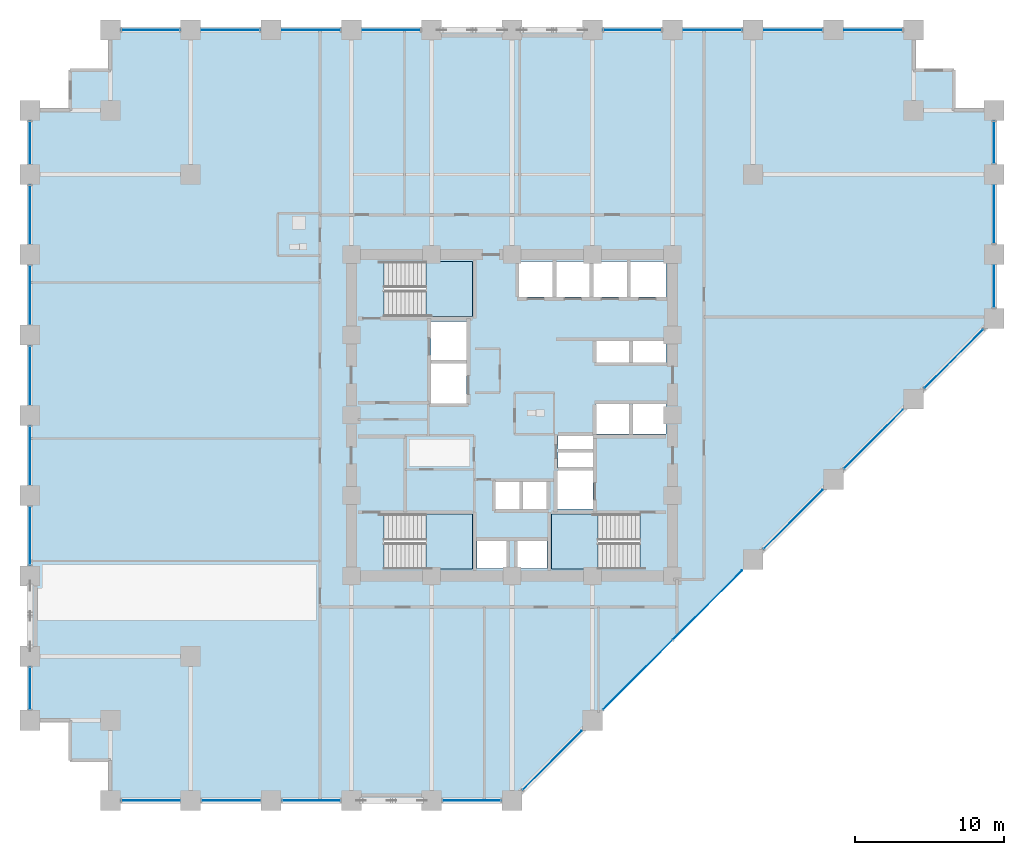
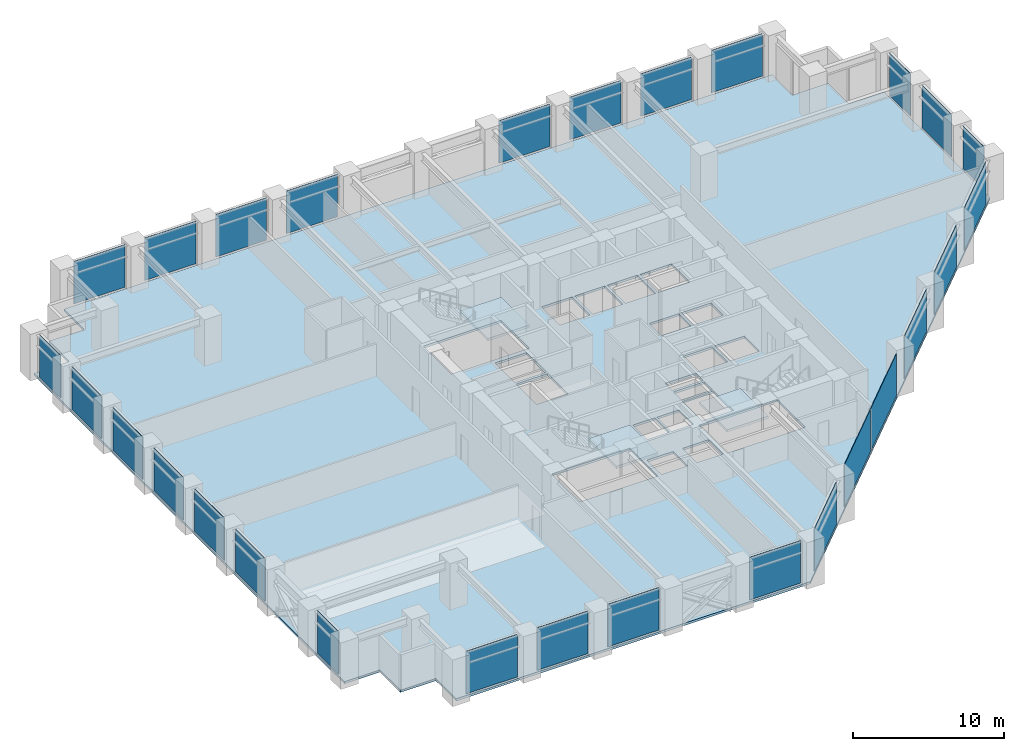
# One storey, part 18 of 25: 28 plates, 4 slabs, 11 elements without a shape of their own.
"""IFC4 building model written with IfcOpenShell, lengths in metres."""

from ifc_helpers import new_model, si_unit, direction, frame, frame_2d, origin, place, context, subcontext, project, spatial, polyline, rectangle, outline, extrude, material, layer, layer_set, type_object, element, aggregate, save


model = new_model("IFC4")

# Units and contexts
model_context = context("Model", 3, precision=1e-05, world=origin(), true_north=direction((0.0, 1.0)))
body_context = subcontext(model_context, "Body", "Model", "MODEL_VIEW")
ifc_project = project(units=[si_unit("LENGTHUNIT", "METRE"), si_unit("AREAUNIT", "SQUARE_METRE"), si_unit("VOLUMEUNIT", "CUBIC_METRE"), si_unit("PLANEANGLEUNIT", "RADIAN"), si_unit("MASSUNIT", "GRAM", prefix="KILO")], contexts=[model_context])

# Site, building, storey
site_placement = place(None, origin())
site = spatial("IfcSite", under=ifc_project, at=site_placement, CompositionType="ELEMENT")
building_placement = place(site_placement, origin())
building = spatial("IfcBuilding", under=site, at=building_placement, Name="Surkhivell Harbour Commons", CompositionType="ELEMENT")
storey_placement = place(building_placement, frame((0.0, 0.0, 45.0)))
storey = spatial("IfcBuildingStorey", under=building, at=storey_placement, Name="L11", CompositionType="ELEMENT", Elevation=45.0)

# Curtain wall, plates
ifc_material_1 = material(Name="Anodised pale-metal aluminium and insulated glazing", Category="aluminium")
ifc_layer_1 = layer(ifc_material_1, 0.219970703125)
ifc_layer_set_1 = layer_set([ifc_layer_1], Name="Anodised pale-metal aluminium and insulated glazing")
curtain_wall_type = type_object("IfcCurtainWallType", Name="CW-SYS-Z1", PredefinedType="NOTDEFINED", material=ifc_layer_set_1)
curtain_wall_1_placement = place(storey_placement, origin())
curtain_wall_1 = element("IfcCurtainWall", 1, at=curtain_wall_1_placement, inside=storey, type_object=curtain_wall_type, Name="L11 Curtain Wall CW-L11-E00S1", PredefinedType="NOTDEFINED")
ifc_material_2 = material(Name="Double-silver low-E laminated vision glass", Category="glass")
ifc_layer_2 = layer(ifc_material_2, 0.031982421875)
ifc_layer_set_2 = layer_set([ifc_layer_2], Name="Double-silver low-E laminated vision glass")
plate_type = type_object("IfcPlateType", Name="CWP-GLZ-32", PredefinedType="CURTAIN_PANEL", material=ifc_layer_set_2)
plate_1_placement = place(storey_placement, frame((-26.248046875, -25.89990234375, 0.14990234375), z_axis=(0.0, 0.0, 1.0), x_axis=(1.0, 0.0, 0.0)))
plate_1 = element("IfcPlate", 2, at=plate_1_placement, type_object=plate_type, Name="CW-Z1 panel 1.1", PredefinedType="CURTAIN_PANEL", context=body_context, shape_type="SweptSolid", body=[
    extrude(rectangle(XDim=3.89599609375, YDim=0.031982421875, at=frame_2d((1.947998046875, 0.0))), origin(), (0.0, 0.0, 1.0), 3.420166015625),
])
plate_2_placement = place(storey_placement, frame((-20.847900390625, -25.89990234375, 0.14990234375), z_axis=(0.0, 0.0, 1.0), x_axis=(1.0, 0.0, 0.0)))
plate_2 = element("IfcPlate", 3, at=plate_2_placement, type_object=plate_type, Name="CW-Z1 panel 2.1", PredefinedType="CURTAIN_PANEL", context=body_context, shape_type="SweptSolid", body=[
    extrude(rectangle(XDim=3.89599609375, YDim=0.031982421875, at=frame_2d((1.947998046875, 0.0))), origin(), (0.0, 0.0, 1.0), 3.420166015625),
])
plate_3_placement = place(storey_placement, frame((-15.447998046875, -25.89990234375, 0.14990234375), z_axis=(0.0, 0.0, 1.0), x_axis=(1.0, 0.0, 0.0)))
plate_3 = element("IfcPlate", 4, at=plate_3_placement, type_object=plate_type, Name="CW-Z1 panel 3.1", PredefinedType="CURTAIN_PANEL", context=body_context, shape_type="SweptSolid", body=[
    extrude(rectangle(XDim=3.89599609375, YDim=0.031982421875, at=frame_2d((1.947998046875, 0.0))), origin(), (0.0, 0.0, 1.0), 3.420166015625),
])
aggregate(curtain_wall_1, [plate_1, plate_2, plate_3])

# Curtain wall, plate
curtain_wall_2_placement = place(storey_placement, origin())
curtain_wall_2 = element("IfcCurtainWall", 5, at=curtain_wall_2_placement, inside=storey, type_object=curtain_wall_type, Name="L11 Curtain Wall CW-L11-E00S2", PredefinedType="NOTDEFINED")
plate_4_placement = place(storey_placement, frame((-4.64794921875, -25.89990234375, 0.14990234375), z_axis=(0.0, 0.0, 1.0), x_axis=(1.0, 0.0, 0.0)))
plate_4 = element("IfcPlate", 6, at=plate_4_placement, type_object=plate_type, Name="CW-Z1 panel 1.1", PredefinedType="CURTAIN_PANEL", context=body_context, shape_type="SweptSolid", body=[
    extrude(rectangle(XDim=3.89599609375, YDim=0.031982421875, at=frame_2d((1.947998046875, 0.0))), origin(), (0.0, 0.0, 1.0), 3.420166015625),
])
aggregate(curtain_wall_2, [plate_4])

# Curtain wall, plates
curtain_wall_3_placement = place(storey_placement, origin())
curtain_wall_3 = element("IfcCurtainWall", 7, at=curtain_wall_3_placement, inside=storey, type_object=curtain_wall_type, Name="L11 Curtain Wall CW-L11-E01", PredefinedType="NOTDEFINED")
plate_5_placement = place(storey_placement, frame((0.729736328125, -25.170166015625, 0.14990234375), z_axis=(0.0, 0.0, 1.0), x_axis=(0.707106781187, 0.707106781187, 0.0)))
plate_5 = element("IfcPlate", 8, at=plate_5_placement, type_object=plate_type, Name="CW-Z1 panel 1.1", PredefinedType="CURTAIN_PANEL", context=body_context, shape_type="SweptSolid", body=[
    extrude(rectangle(XDim=5.572509765625, YDim=0.031982421875, at=frame_2d((2.7861328125, 0.0))), origin(), (0.0, 0.0, 1.0), 3.420166015625),
])
plate_6_placement = place(storey_placement, frame((6.1298828125, -19.770263671875, 0.14990234375), z_axis=(0.0, 0.0, 1.0), x_axis=(0.707088192925, 0.70712536896, 0.0)))
plate_6 = element("IfcPlate", 9, at=plate_6_placement, type_object=plate_type, Name="CW-Z1 panel 2.1", PredefinedType="CURTAIN_PANEL", context=body_context, shape_type="SweptSolid", body=[
    extrude(rectangle(XDim=6.567138671875, YDim=0.031982421875, at=frame_2d((3.28369140625, 0.0))), origin(), (0.0, 0.0, 1.0), 3.420166015625),
])
plate_7_placement = place(storey_placement, frame((10.826416015625, -15.073486328125, 0.14990234375), z_axis=(0.0, 0.0, 1.0), x_axis=(0.70712536896, 0.707088192925, 0.0)))
plate_7 = element("IfcPlate", 10, at=plate_7_placement, type_object=plate_type, Name="CW-Z1 panel 3.1", PredefinedType="CURTAIN_PANEL", context=body_context, shape_type="SweptSolid", body=[
    extrude(rectangle(XDim=6.567138671875, YDim=0.031982421875, at=frame_2d((3.28369140625, 0.0))), origin(), (0.0, 0.0, 1.0), 3.420166015625),
])
plate_8_placement = place(storey_placement, frame((16.929931640625, -8.97021484375, 0.14990234375), z_axis=(0.0, 0.0, 1.0), x_axis=(0.707084874754, 0.70712868694, 0.0)))
plate_8 = element("IfcPlate", 11, at=plate_8_placement, type_object=plate_type, Name="CW-Z1 panel 4.1", PredefinedType="CURTAIN_PANEL", context=body_context, shape_type="SweptSolid", body=[
    extrude(rectangle(XDim=5.572509765625, YDim=0.031982421875, at=frame_2d((2.7861328125, 0.0))), origin(), (0.0, 0.0, 1.0), 3.420166015625),
])
plate_9_placement = place(storey_placement, frame((22.329833984375, -3.570068359375, 0.14990234375), z_axis=(0.0, 0.0, 1.0), x_axis=(0.70712868694, 0.707084874754, 0.0)))
plate_9 = element("IfcPlate", 12, at=plate_9_placement, type_object=plate_type, Name="CW-Z1 panel 5.1", PredefinedType="CURTAIN_PANEL", context=body_context, shape_type="SweptSolid", body=[
    extrude(rectangle(XDim=5.572509765625, YDim=0.031982421875, at=frame_2d((2.7861328125, 0.0))), origin(), (0.0, 0.0, 1.0), 3.420166015625),
])
plate_10_placement = place(storey_placement, frame((27.729736328125, 1.829833984375, 0.14990234375), z_axis=(0.0, 0.0, 1.0), x_axis=(0.707106781187, 0.707106781187, 0.0)))
plate_10 = element("IfcPlate", 13, at=plate_10_placement, type_object=plate_type, Name="CW-Z1 panel 6.1", PredefinedType="CURTAIN_PANEL", context=body_context, shape_type="SweptSolid", body=[
    extrude(rectangle(XDim=5.572509765625, YDim=0.031982421875, at=frame_2d((2.7861328125, 0.0))), origin(), (0.0, 0.0, 1.0), 3.420166015625),
])
aggregate(curtain_wall_3, [plate_5, plate_6, plate_7, plate_8, plate_9, plate_10])

curtain_wall_4_placement = place(storey_placement, origin())
curtain_wall_4 = element("IfcCurtainWall", 14, at=curtain_wall_4_placement, inside=storey, type_object=curtain_wall_type, Name="L11 Curtain Wall CW-L11-E02", PredefinedType="NOTDEFINED")
plate_11_placement = place(storey_placement, frame((32.39990234375, 7.251953125, 0.14990234375), z_axis=(0.0, 0.0, 1.0), x_axis=(0.0, 1.0, 0.0)))
plate_11 = element("IfcPlate", 15, at=plate_11_placement, type_object=plate_type, Name="CW-Z1 panel 1.1", PredefinedType="CURTAIN_PANEL", context=body_context, shape_type="SweptSolid", body=[
    extrude(rectangle(XDim=2.796142578125, YDim=0.031982421875, at=frame_2d((1.39794921875, 0.0))), origin(), (0.0, 0.0, 1.0), 3.420166015625),
])
plate_12_placement = place(storey_placement, frame((32.39990234375, 11.552001953125, 0.14990234375), z_axis=(0.0, 0.0, 1.0), x_axis=(0.0, 1.0, 0.0)))
plate_12 = element("IfcPlate", 16, at=plate_12_placement, type_object=plate_type, Name="CW-Z1 panel 2.1", PredefinedType="CURTAIN_PANEL", context=body_context, shape_type="SweptSolid", body=[
    extrude(rectangle(XDim=3.89599609375, YDim=0.031982421875, at=frame_2d((1.947998046875, 0.0))), origin(), (0.0, 0.0, 1.0), 3.420166015625),
])
plate_13_placement = place(storey_placement, frame((32.39990234375, 16.951904296875, 0.14990234375), z_axis=(0.0, 0.0, 1.0), x_axis=(0.0, 1.0, 0.0)))
plate_13 = element("IfcPlate", 17, at=plate_13_placement, type_object=plate_type, Name="CW-Z1 panel 3.1", PredefinedType="CURTAIN_PANEL", context=body_context, shape_type="SweptSolid", body=[
    extrude(rectangle(XDim=2.796142578125, YDim=0.031982421875, at=frame_2d((1.39794921875, 0.0))), origin(), (0.0, 0.0, 1.0), 3.420166015625),
])
aggregate(curtain_wall_4, [plate_11, plate_12, plate_13])

curtain_wall_5_placement = place(storey_placement, origin())
curtain_wall_5 = element("IfcCurtainWall", 18, at=curtain_wall_5_placement, inside=storey, type_object=curtain_wall_type, Name="L11 Curtain Wall CW-L11-E07S1", PredefinedType="NOTDEFINED")
plate_14_placement = place(storey_placement, frame((26.248046875, 25.89990234375, 0.14990234375), z_axis=(0.0, 0.0, 1.0), x_axis=(-1.0, 0.0, 0.0)))
plate_14 = element("IfcPlate", 19, at=plate_14_placement, type_object=plate_type, Name="CW-Z1 panel 1.1", PredefinedType="CURTAIN_PANEL", context=body_context, shape_type="SweptSolid", body=[
    extrude(rectangle(XDim=3.89599609375, YDim=0.031982421875, at=frame_2d((1.947998046875, 0.0))), origin(), (0.0, 0.0, 1.0), 3.420166015625),
])
plate_15_placement = place(storey_placement, frame((20.847900390625, 25.89990234375, 0.14990234375), z_axis=(0.0, 0.0, 1.0), x_axis=(-1.0, 0.0, 0.0)))
plate_15 = element("IfcPlate", 20, at=plate_15_placement, type_object=plate_type, Name="CW-Z1 panel 2.1", PredefinedType="CURTAIN_PANEL", context=body_context, shape_type="SweptSolid", body=[
    extrude(rectangle(XDim=3.89599609375, YDim=0.031982421875, at=frame_2d((1.947998046875, 0.0))), origin(), (0.0, 0.0, 1.0), 3.420166015625),
])
plate_16_placement = place(storey_placement, frame((15.447998046875, 25.89990234375, 0.14990234375), z_axis=(0.0, 0.0, 1.0), x_axis=(-1.0, 0.0, 0.0)))
plate_16 = element("IfcPlate", 21, at=plate_16_placement, type_object=plate_type, Name="CW-Z1 panel 3.1", PredefinedType="CURTAIN_PANEL", context=body_context, shape_type="SweptSolid", body=[
    extrude(rectangle(XDim=3.89599609375, YDim=0.031982421875, at=frame_2d((1.947998046875, 0.0))), origin(), (0.0, 0.0, 1.0), 3.420166015625),
])
plate_17_placement = place(storey_placement, frame((10.048095703125, 25.89990234375, 0.14990234375), z_axis=(0.0, 0.0, 1.0), x_axis=(-1.0, 0.0, 0.0)))
plate_17 = element("IfcPlate", 22, at=plate_17_placement, type_object=plate_type, Name="CW-Z1 panel 4.1", PredefinedType="CURTAIN_PANEL", context=body_context, shape_type="SweptSolid", body=[
    extrude(rectangle(XDim=3.89599609375, YDim=0.031982421875, at=frame_2d((1.947998046875, 0.0))), origin(), (0.0, 0.0, 1.0), 3.420166015625),
])
aggregate(curtain_wall_5, [plate_14, plate_15, plate_16, plate_17])

curtain_wall_6_placement = place(storey_placement, origin())
curtain_wall_6 = element("IfcCurtainWall", 23, at=curtain_wall_6_placement, inside=storey, type_object=curtain_wall_type, Name="L11 Curtain Wall CW-L11-E07S2", PredefinedType="NOTDEFINED")
plate_18_placement = place(storey_placement, frame((-6.152099609375, 25.89990234375, 0.14990234375), z_axis=(0.0, 0.0, 1.0), x_axis=(-1.0, 0.0, 0.0)))
plate_18 = element("IfcPlate", 24, at=plate_18_placement, type_object=plate_type, Name="CW-Z1 panel 1.1", PredefinedType="CURTAIN_PANEL", context=body_context, shape_type="SweptSolid", body=[
    extrude(rectangle(XDim=3.89599609375, YDim=0.031982421875, at=frame_2d((1.947998046875, 0.0))), origin(), (0.0, 0.0, 1.0), 3.420166015625),
])
plate_19_placement = place(storey_placement, frame((-11.552001953125, 25.89990234375, 0.14990234375), z_axis=(0.0, 0.0, 1.0), x_axis=(-1.0, 0.0, 0.0)))
plate_19 = element("IfcPlate", 25, at=plate_19_placement, type_object=plate_type, Name="CW-Z1 panel 2.1", PredefinedType="CURTAIN_PANEL", context=body_context, shape_type="SweptSolid", body=[
    extrude(rectangle(XDim=3.89599609375, YDim=0.031982421875, at=frame_2d((1.947998046875, 0.0))), origin(), (0.0, 0.0, 1.0), 3.420166015625),
])
plate_20_placement = place(storey_placement, frame((-16.951904296875, 25.89990234375, 0.14990234375), z_axis=(0.0, 0.0, 1.0), x_axis=(-1.0, 0.0, 0.0)))
plate_20 = element("IfcPlate", 26, at=plate_20_placement, type_object=plate_type, Name="CW-Z1 panel 3.1", PredefinedType="CURTAIN_PANEL", context=body_context, shape_type="SweptSolid", body=[
    extrude(rectangle(XDim=3.89599609375, YDim=0.031982421875, at=frame_2d((1.947998046875, 0.0))), origin(), (0.0, 0.0, 1.0), 3.420166015625),
])
plate_21_placement = place(storey_placement, frame((-22.35205078125, 25.89990234375, 0.14990234375), z_axis=(0.0, 0.0, 1.0), x_axis=(-1.0, 0.0, 0.0)))
plate_21 = element("IfcPlate", 27, at=plate_21_placement, type_object=plate_type, Name="CW-Z1 panel 4.1", PredefinedType="CURTAIN_PANEL", context=body_context, shape_type="SweptSolid", body=[
    extrude(rectangle(XDim=3.89599609375, YDim=0.031982421875, at=frame_2d((1.947998046875, 0.0))), origin(), (0.0, 0.0, 1.0), 3.420166015625),
])
aggregate(curtain_wall_6, [plate_18, plate_19, plate_20, plate_21])

curtain_wall_7_placement = place(storey_placement, origin())
curtain_wall_7 = element("IfcCurtainWall", 28, at=curtain_wall_7_placement, inside=storey, type_object=curtain_wall_type, Name="L11 Curtain Wall CW-L11-E12S1", PredefinedType="NOTDEFINED")
plate_22_placement = place(storey_placement, frame((-32.39990234375, 19.748046875, 0.14990234375), z_axis=(0.0, 0.0, 1.0), x_axis=(0.0, -1.0, 0.0)))
plate_22 = element("IfcPlate", 29, at=plate_22_placement, type_object=plate_type, Name="CW-Z1 panel 1.1", PredefinedType="CURTAIN_PANEL", context=body_context, shape_type="SweptSolid", body=[
    extrude(rectangle(XDim=2.796142578125, YDim=0.031982421875, at=frame_2d((1.39794921875, 0.0))), origin(), (0.0, 0.0, 1.0), 3.420166015625),
])
plate_23_placement = place(storey_placement, frame((-32.39990234375, 15.447998046875, 0.14990234375), z_axis=(0.0, 0.0, 1.0), x_axis=(0.0, -1.0, 0.0)))
plate_23 = element("IfcPlate", 30, at=plate_23_placement, type_object=plate_type, Name="CW-Z1 panel 2.1", PredefinedType="CURTAIN_PANEL", context=body_context, shape_type="SweptSolid", body=[
    extrude(rectangle(XDim=3.89599609375, YDim=0.031982421875, at=frame_2d((1.947998046875, 0.0))), origin(), (0.0, 0.0, 1.0), 3.420166015625),
])
plate_24_placement = place(storey_placement, frame((-32.39990234375, 10.048095703125, 0.14990234375), z_axis=(0.0, 0.0, 1.0), x_axis=(0.0, -1.0, 0.0)))
plate_24 = element("IfcPlate", 31, at=plate_24_placement, type_object=plate_type, Name="CW-Z1 panel 3.1", PredefinedType="CURTAIN_PANEL", context=body_context, shape_type="SweptSolid", body=[
    extrude(rectangle(XDim=3.89599609375, YDim=0.031982421875, at=frame_2d((1.947998046875, 0.0))), origin(), (0.0, 0.0, 1.0), 3.420166015625),
])
plate_25_placement = place(storey_placement, frame((-32.39990234375, 4.64794921875, 0.14990234375), z_axis=(0.0, 0.0, 1.0), x_axis=(0.0, -1.0, 0.0)))
plate_25 = element("IfcPlate", 32, at=plate_25_placement, type_object=plate_type, Name="CW-Z1 panel 4.1", PredefinedType="CURTAIN_PANEL", context=body_context, shape_type="SweptSolid", body=[
    extrude(rectangle(XDim=3.89599609375, YDim=0.031982421875, at=frame_2d((1.947998046875, 0.0))), origin(), (0.0, 0.0, 1.0), 3.420166015625),
])
plate_26_placement = place(storey_placement, frame((-32.39990234375, -0.751953125, 0.14990234375), z_axis=(0.0, 0.0, 1.0), x_axis=(0.0, -1.0, 0.0)))
plate_26 = element("IfcPlate", 33, at=plate_26_placement, type_object=plate_type, Name="CW-Z1 panel 5.1", PredefinedType="CURTAIN_PANEL", context=body_context, shape_type="SweptSolid", body=[
    extrude(rectangle(XDim=3.89599609375, YDim=0.031982421875, at=frame_2d((1.947998046875, 0.0))), origin(), (0.0, 0.0, 1.0), 3.420166015625),
])
plate_27_placement = place(storey_placement, frame((-32.39990234375, -6.152099609375, 0.14990234375), z_axis=(0.0, 0.0, 1.0), x_axis=(0.0, -1.0, 0.0)))
plate_27 = element("IfcPlate", 34, at=plate_27_placement, type_object=plate_type, Name="CW-Z1 panel 6.1", PredefinedType="CURTAIN_PANEL", context=body_context, shape_type="SweptSolid", body=[
    extrude(rectangle(XDim=3.89599609375, YDim=0.031982421875, at=frame_2d((1.947998046875, 0.0))), origin(), (0.0, 0.0, 1.0), 3.420166015625),
])
aggregate(curtain_wall_7, [plate_22, plate_23, plate_24, plate_25, plate_26, plate_27])

# Curtain wall, plate
curtain_wall_8_placement = place(storey_placement, origin())
curtain_wall_8 = element("IfcCurtainWall", 35, at=curtain_wall_8_placement, inside=storey, type_object=curtain_wall_type, Name="L11 Curtain Wall CW-L11-E12S2", PredefinedType="NOTDEFINED")
plate_28_placement = place(storey_placement, frame((-32.39990234375, -16.951904296875, 0.14990234375), z_axis=(0.0, 0.0, 1.0), x_axis=(0.0, -1.0, 0.0)))
plate_28 = element("IfcPlate", 36, at=plate_28_placement, type_object=plate_type, Name="CW-Z1 panel 1.1", PredefinedType="CURTAIN_PANEL", context=body_context, shape_type="SweptSolid", body=[
    extrude(rectangle(XDim=2.796142578125, YDim=0.031982421875, at=frame_2d((1.39794921875, 0.0))), origin(), (0.0, 0.0, 1.0), 3.420166015625),
])
aggregate(curtain_wall_8, [plate_28])

# Stair, slab
ifc_material_3 = material(Name="Precast concrete C45/55", Category="concrete")
stair_type = type_object("IfcStairType", Name="STR-DL-375", PredefinedType="HALF_TURN_STAIR", material=ifc_material_3)
stair_1_placement = place(storey_placement, origin())
stair_1 = element("IfcStair", 37, at=stair_1_placement, inside=storey, type_object=stair_type, Name="L11 Core Exit Stair ST1", PredefinedType="HALF_TURN_STAIR")
ifc_material_4 = material(Name="Reinforced concrete C45/55", Category="concrete")
ifc_layer_3 = layer(ifc_material_4, 0.199951171875)
ifc_layer_set_3 = layer_set([ifc_layer_3], Name="Reinforced concrete C45/55")
slab_type_1 = type_object("IfcSlabType", Name="SLB-ST-LND200", PredefinedType="LANDING", material=ifc_layer_set_3)
slab_1_placement = place(storey_placement, frame((0.0, 0.0, 1.675048828125)))
slab_1 = element("IfcSlab", 38, at=slab_1_placement, type_object=slab_type_1, Name="ST1 landing 1", PredefinedType="LANDING", context=body_context, shape_type="SweptSolid", body=[
    extrude(outline(polyline([(-5.7900390625, 6.639892578125), (-2.639892578125, 6.639892578125), (-2.639892578125, 10.340087890625), (-5.7900390625, 10.340087890625), (-5.7900390625, 6.639892578125)])), origin(), (0.0, 0.0, 1.0), 0.199951171875),
])
aggregate(stair_1, [slab_1])

stair_2_placement = place(storey_placement, origin())
stair_2 = element("IfcStair", 39, at=stair_2_placement, inside=storey, type_object=stair_type, Name="L11 Core Exit Stair ST2", PredefinedType="HALF_TURN_STAIR")
slab_2_placement = place(storey_placement, frame((0.0, 0.0, 1.675048828125)))
slab_2 = element("IfcSlab", 40, at=slab_2_placement, type_object=slab_type_1, Name="ST2 landing 1", PredefinedType="LANDING", context=body_context, shape_type="SweptSolid", body=[
    extrude(outline(polyline([(5.7900390625, -6.639892578125), (2.639892578125, -6.639892578125), (2.639892578125, -10.340087890625), (5.7900390625, -10.340087890625), (5.7900390625, -6.639892578125)])), origin(), (0.0, 0.0, 1.0), 0.199951171875),
])
aggregate(stair_2, [slab_2])

stair_3_placement = place(storey_placement, origin())
stair_3 = element("IfcStair", 41, at=stair_3_placement, inside=storey, type_object=stair_type, Name="L11 Core Exit Stair ST3", PredefinedType="HALF_TURN_STAIR")
slab_3_placement = place(storey_placement, frame((0.0, 0.0, 1.675048828125)))
slab_3 = element("IfcSlab", 42, at=slab_3_placement, type_object=slab_type_1, Name="ST3 landing 1", PredefinedType="LANDING", context=body_context, shape_type="SweptSolid", body=[
    extrude(outline(polyline([(-5.7900390625, -10.340087890625), (-2.639892578125, -10.340087890625), (-2.639892578125, -6.639892578125), (-5.7900390625, -6.639892578125), (-5.7900390625, -10.340087890625)])), origin(), (0.0, 0.0, 1.0), 0.199951171875),
])
aggregate(stair_3, [slab_3])

# Slab
ifc_material_5 = material(Name="Concrete C45/55", Category="concrete")
ifc_layer_4 = layer(ifc_material_5, 0.179931640625)
ifc_layer_set_4 = layer_set([ifc_layer_4], Name="Concrete C45/55")
slab_type_2 = type_object("IfcSlabType", Name="SLB-TYP-180", PredefinedType="FLOOR", material=ifc_layer_set_4)
slab_4_placement = place(storey_placement, frame((0.0, 0.0, -0.179931640625)))
element("IfcSlab", 43, at=slab_4_placement, inside=storey, type_object=slab_type_2, Name="L11 Structural Floor Slab", PredefinedType="FLOOR", context=body_context, shape_type="SweptSolid", body=[
    extrude(outline(polyline([(-27.0, -25.89990234375), (0.0, -25.89990234375), (32.39990234375, 6.5), (32.39990234375, 20.5), (29.699951171875, 20.5), (29.699951171875, 23.199951171875), (27.0, 23.199951171875), (27.0, 25.89990234375), (-27.0, 25.89990234375), (-27.0, 23.199951171875), (-29.699951171875, 23.199951171875), (-29.699951171875, 20.5), (-32.39990234375, 20.5), (-32.39990234375, -20.5), (-29.699951171875, -20.5), (-29.699951171875, -23.199951171875), (-27.0, -23.199951171875), (-27.0, -25.89990234375)]), holes=[polyline([(-8.590087890625, 6.639892578125), (-2.639892578125, 6.639892578125), (-2.639892578125, 10.340087890625), (-8.590087890625, 10.340087890625), (-8.590087890625, 6.639892578125)]), polyline([(8.590087890625, -6.639892578125), (2.639892578125, -6.639892578125), (2.639892578125, -10.340087890625), (8.590087890625, -10.340087890625), (8.590087890625, -6.639892578125)]), polyline([(-8.590087890625, -10.340087890625), (-2.639892578125, -10.340087890625), (-2.639892578125, -6.639892578125), (-8.590087890625, -6.639892578125), (-8.590087890625, -10.340087890625)]), polyline([(0.449951171875, 7.949951171875), (2.75, 7.949951171875), (2.75, 10.35009765625), (0.449951171875, 10.35009765625), (0.449951171875, 7.949951171875)]), polyline([(2.949951171875, 7.949951171875), (5.25, 7.949951171875), (5.25, 10.35009765625), (2.949951171875, 10.35009765625), (2.949951171875, 7.949951171875)]), polyline([(5.449951171875, 7.949951171875), (7.75, 7.949951171875), (7.75, 10.35009765625), (5.449951171875, 10.35009765625), (5.449951171875, 7.949951171875)]), polyline([(7.949951171875, 7.949951171875), (10.35009765625, 7.949951171875), (10.35009765625, 10.35009765625), (7.949951171875, 10.35009765625), (7.949951171875, 7.949951171875)]), polyline([(5.64990234375, 3.550048828125), (7.89990234375, 3.550048828125), (7.89990234375, 5.14990234375), (5.64990234375, 5.14990234375), (5.64990234375, 3.550048828125)]), polyline([(8.10009765625, 3.550048828125), (10.35009765625, 3.550048828125), (10.35009765625, 5.14990234375), (8.10009765625, 5.14990234375), (8.10009765625, 3.550048828125)]), polyline([(5.64990234375, -1.25), (7.89990234375, -1.25), (7.89990234375, 0.75), (5.64990234375, 0.75), (5.64990234375, -1.25)]), polyline([(8.10009765625, -1.25), (10.35009765625, -1.25), (10.35009765625, 0.75), (8.10009765625, 0.75), (8.10009765625, -1.25)]), polyline([(-1.14990234375, -6.35009765625), (0.550048828125, -6.35009765625), (0.550048828125, -4.449951171875), (-1.14990234375, -4.449951171875), (-1.14990234375, -6.35009765625)]), polyline([(0.679931640625, -6.35009765625), (2.3798828125, -6.35009765625), (2.3798828125, -4.449951171875), (0.679931640625, -4.449951171875), (0.679931640625, -6.35009765625)]), polyline([(-2.35009765625, -10.300048828125), (-0.35009765625, -10.300048828125), (-0.35009765625, -8.39990234375), (-2.35009765625, -8.39990234375), (-2.35009765625, -10.300048828125)]), polyline([(0.35009765625, -10.300048828125), (2.35009765625, -10.300048828125), (2.35009765625, -8.39990234375), (0.35009765625, -8.39990234375), (0.35009765625, -10.300048828125)]), polyline([(-5.449951171875, 3.699951171875), (-3.050048828125, 3.699951171875), (-3.050048828125, 6.300048828125), (-5.449951171875, 6.300048828125), (-5.449951171875, 3.699951171875)]), polyline([(3.050048828125, -6.300048828125), (5.449951171875, -6.300048828125), (5.449951171875, -3.699951171875), (3.050048828125, -3.699951171875), (3.050048828125, -6.300048828125)]), polyline([(-5.449951171875, 0.800048828125), (-3.050048828125, 0.800048828125), (-3.050048828125, 3.5), (-5.449951171875, 3.5), (-5.449951171875, 0.800048828125)]), polyline([(3.10009765625, -3.550048828125), (5.449951171875, -3.550048828125), (5.449951171875, -2.47998046875), (3.10009765625, -2.47998046875), (3.10009765625, -3.550048828125)]), polyline([(3.10009765625, -2.280029296875), (5.449951171875, -2.280029296875), (5.449951171875, -1.35009765625), (3.10009765625, -1.35009765625), (3.10009765625, -2.280029296875)])]), origin(), (0.0, 0.0, 1.0), 0.179931640625),
])

save(model, "model.ifc")
